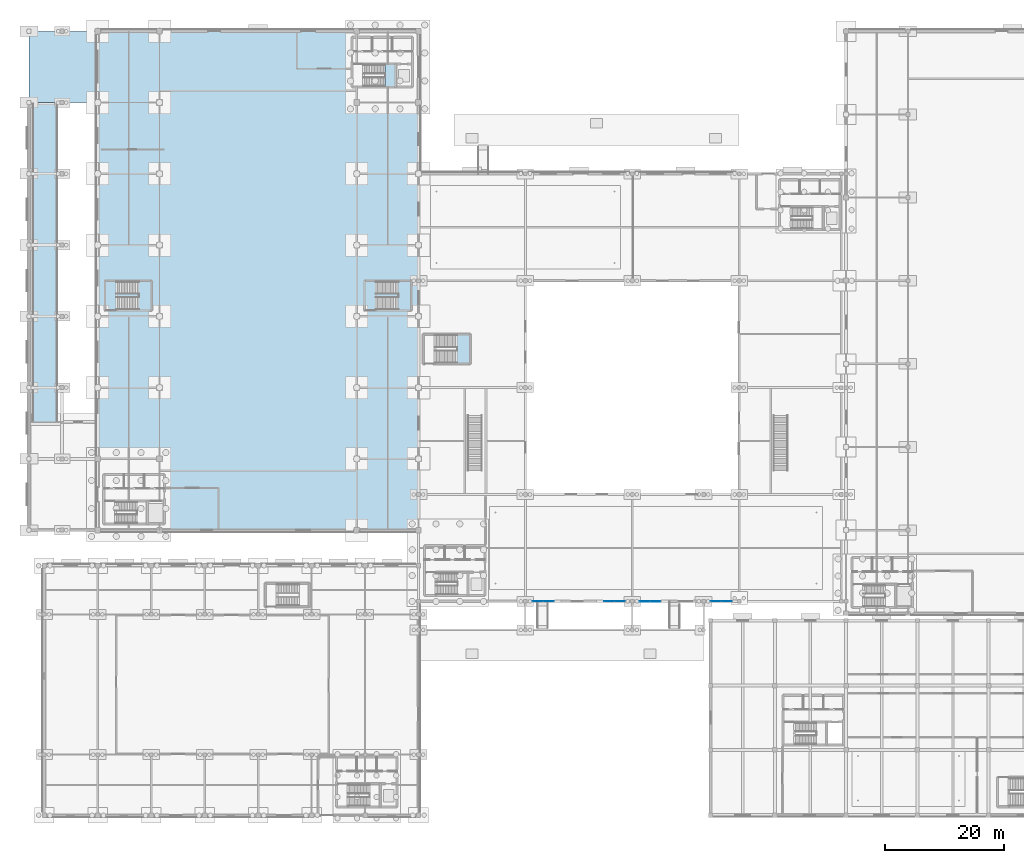
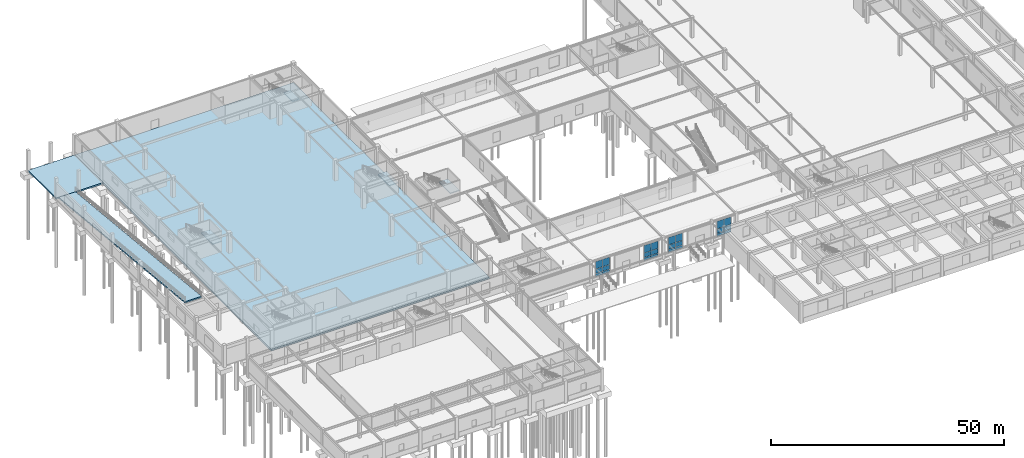
# One storey, part 21 of 53: 24 plates, 7 slabs, 8 elements without a shape of their own.
"""IFC4 building model written with IfcOpenShell, lengths in metres."""

from ifc_helpers import new_model, si_unit, derived_unit, direction, frame, origin, origin_2d, place, context, subcontext, project, spatial, polyline, rectangle, outline, extrude, material, layer, layer_set, type_object, element, aggregate, save


model = new_model("IFC4")

# Units and contexts
model_context = context("Model", 3, precision=1e-05, world=origin(), true_north=direction((0.0, 1.0)))
body_context = subcontext(model_context, "Body", "Model", "MODEL_VIEW")
ifc_project = project(units=[si_unit("LENGTHUNIT", "METRE"), si_unit("AREAUNIT", "SQUARE_METRE"), si_unit("VOLUMEUNIT", "CUBIC_METRE"), si_unit("PLANEANGLEUNIT", "RADIAN"), si_unit("MASSUNIT", "GRAM", prefix="KILO"), derived_unit("THERMALTRANSMITTANCEUNIT", [(si_unit("POWERUNIT", "WATT"), 1), (si_unit("LENGTHUNIT", "METRE"), -2), (si_unit("THERMODYNAMICTEMPERATUREUNIT", "KELVIN"), -1)])], contexts=[model_context])

# Site, building, storey
site_placement = place(None, origin())
site = spatial("IfcSite", under=ifc_project, at=site_placement, CompositionType="ELEMENT")
building_placement = place(site_placement, origin())
building = spatial("IfcBuilding", under=site, at=building_placement, Name="Almenara Railside Exhibition Hall", CompositionType="ELEMENT")
storey_placement = place(building_placement, origin())
storey = spatial("IfcBuildingStorey", under=building, at=storey_placement, Name="L00", CompositionType="ELEMENT", Elevation=0.0)

# Curtain wall, plates
ifc_material_1 = material(Name="Bronze-anodised aluminium and low-E double glazing", Category="aluminium")
ifc_layer_1 = layer(ifc_material_1, 0.179931640625, Name="Bronze-anodised aluminium and low-E double glazing")
ifc_layer_set_1 = layer_set([ifc_layer_1], Name="Bronze-anodised aluminium and low-E double glazing")
curtain_wall_type = type_object("IfcCurtainWallType", Name="Concourse South Portale Curtain Wall 3600x4100", PredefinedType="NOTDEFINED", material=ifc_layer_set_1)
curtain_wall_1_placement = place(storey_placement, origin())
curtain_wall_1 = element("IfcCurtainWall", 1, at=curtain_wall_1_placement, inside=storey, type_object=curtain_wall_type, Name="Curtain wall CW-PC1-125", PredefinedType="NOTDEFINED")
ifc_material_2 = material(Name="Solar-control acoustic laminated glazing", Category="glass")
ifc_layer_2 = layer(ifc_material_2, 0.031982421875, Name="Solar-control acoustic laminated glazing")
ifc_layer_set_2 = layer_set([ifc_layer_2], Name="Solar-control acoustic laminated glazing")
plate_type_1 = type_object("IfcPlateType", Name="Acoustic Low-E Double Glazing Panel 32mm", PredefinedType="CURTAIN_PANEL", material=ifc_layer_set_2)
plate_1_placement = place(storey_placement, frame((86.114990234375, 36.0, 0.69384765625), z_axis=(0.0, 0.0, 1.0), x_axis=(1.0, 0.0, 0.0)))
plate_1 = element("IfcPlate", 2, at=plate_1_placement, type_object=plate_type_1, Name="CW-PC1-125 panel 1.1", PredefinedType="CURTAIN_PANEL", context=body_context, shape_type="SweptSolid", body=[
    extrude(rectangle(XDim=1.72607421875, YDim=0.031982421875, at=origin_2d()), origin(), (0.0, 0.0, 1.0), 0.717041015625),
])
plate_2_placement = place(storey_placement, frame((86.114990234375, 36.0, 1.489013671875), z_axis=(0.0, 0.0, 1.0), x_axis=(1.0, 0.0, 0.0)))
plate_2 = element("IfcPlate", 3, at=plate_2_placement, type_object=plate_type_1, Name="CW-PC1-125 panel 1.2", PredefinedType="CURTAIN_PANEL", context=body_context, shape_type="SweptSolid", body=[
    extrude(rectangle(XDim=1.72607421875, YDim=0.031982421875, at=origin_2d()), origin(), (0.0, 0.0, 1.0), 1.1220703125),
])
plate_3_placement = place(storey_placement, frame((86.114990234375, 36.0, 2.68896484375), z_axis=(0.0, 0.0, 1.0), x_axis=(1.0, 0.0, 0.0)))
plate_3 = element("IfcPlate", 4, at=plate_3_placement, type_object=plate_type_1, Name="CW-PC1-125 panel 1.3", PredefinedType="CURTAIN_PANEL", context=body_context, shape_type="SweptSolid", body=[
    extrude(rectangle(XDim=1.72607421875, YDim=0.031982421875, at=origin_2d()), origin(), (0.0, 0.0, 1.0), 1.9169921875),
])
plate_4_placement = place(storey_placement, frame((87.885009765625, 36.0, 0.69384765625), z_axis=(0.0, 0.0, 1.0), x_axis=(1.0, 0.0, 0.0)))
plate_4 = element("IfcPlate", 5, at=plate_4_placement, type_object=plate_type_1, Name="CW-PC1-125 panel 2.1", PredefinedType="CURTAIN_PANEL", context=body_context, shape_type="SweptSolid", body=[
    extrude(rectangle(XDim=1.72607421875, YDim=0.031982421875, at=origin_2d()), origin(), (0.0, 0.0, 1.0), 0.717041015625),
])
plate_5_placement = place(storey_placement, frame((87.885009765625, 36.0, 1.489013671875), z_axis=(0.0, 0.0, 1.0), x_axis=(1.0, 0.0, 0.0)))
plate_5 = element("IfcPlate", 6, at=plate_5_placement, type_object=plate_type_1, Name="CW-PC1-125 panel 2.2", PredefinedType="CURTAIN_PANEL", context=body_context, shape_type="SweptSolid", body=[
    extrude(rectangle(XDim=1.72607421875, YDim=0.031982421875, at=origin_2d()), origin(), (0.0, 0.0, 1.0), 1.1220703125),
])
plate_6_placement = place(storey_placement, frame((87.885009765625, 36.0, 2.68896484375), z_axis=(0.0, 0.0, 1.0), x_axis=(1.0, 0.0, 0.0)))
plate_6 = element("IfcPlate", 7, at=plate_6_placement, type_object=plate_type_1, Name="CW-PC1-125 panel 2.3", PredefinedType="CURTAIN_PANEL", context=body_context, shape_type="SweptSolid", body=[
    extrude(rectangle(XDim=1.72607421875, YDim=0.031982421875, at=origin_2d()), origin(), (0.0, 0.0, 1.0), 1.9169921875),
])
aggregate(curtain_wall_1, [plate_1, plate_2, plate_3, plate_4, plate_5, plate_6])

# Slabs
ifc_material_3 = material(Name="Concrete C40/50", Category="concrete")
ifc_layer_3 = layer(ifc_material_3, 0.429931640625, Name="Concrete C40/50")
ifc_layer_set_3 = layer_set([ifc_layer_3], Name="Concrete C40/50")
slab_type_1 = type_object("IfcSlabType", Name="Heavy Ground Exhibition Slab 430mm C40/50", PredefinedType="BASESLAB", material=ifc_layer_set_3)
slab_1_placement = place(storey_placement, frame((0.0, 0.0, -0.429931640625)))
element("IfcSlab", 8, at=slab_1_placement, inside=storey, type_object=slab_type_1, Name="West Exhibition Hall 1 ground slab 002", PredefinedType="BASESLAB", context=body_context, shape_type="SweptSolid", body=[
    extrude(outline(polyline([(12.0, 48.0), (66.0, 48.0), (66.0, 132.0), (12.0, 132.0), (12.0, 48.0)])), origin(), (0.0, 0.0, 1.0), 0.429931640625),
])
ifc_layer_4 = layer(ifc_material_3, 0.35009765625, Name="Concrete C40/50")
ifc_layer_set_4 = layer_set([ifc_layer_4], Name="Concrete C40/50")
slab_type_2 = type_object("IfcSlabType", Name="Heavy Truck Lower Vehicle Ramp Slab 350mm C40/50", PredefinedType="USERDEFINED", material=ifc_layer_set_4)
slab_2_placement = place(storey_placement, frame((5.199951171875, 119.998046875, 0.0), z_axis=(0.0, 0.099563887228, 0.995031171552), x_axis=(-1.0, 0.0, 0.0)))
element("IfcSlab", 9, at=slab_2_placement, inside=storey, type_object=slab_type_2, Name="Heavy Truck Vehicle Ramp Slab TR-01", ObjectType="APPROACH_SLAB", PredefinedType="USERDEFINED", context=body_context, shape_type="SweptSolid", body=[
    extrude(outline(polyline([(0.0, 0.0), (4.199951171875, 0.0), (4.199951171875, 54.23555160483646), (0.0, 54.23555160483646), (0.0, 0.0)])), origin(), (0.0, 0.0, -1.0), 0.35009765625),
])

# Curtain wall, plates
curtain_wall_2_placement = place(storey_placement, origin())
curtain_wall_2 = element("IfcCurtainWall", 10, at=curtain_wall_2_placement, inside=storey, type_object=curtain_wall_type, Name="Curtain wall CW-PC1-133", PredefinedType="NOTDEFINED")
ifc_material_4 = material(Name="Bronze-anodised insulated aluminium spandrel", Category="aluminium")
ifc_layer_5 = layer(ifc_material_4, 0.0400390625, Name="Bronze-anodised insulated aluminium spandrel")
ifc_layer_set_5 = layer_set([ifc_layer_5], Name="Bronze-anodised insulated aluminium spandrel")
plate_type_2 = type_object("IfcPlateType", Name="Insulated Bronze Spandrel Panel 40mm", PredefinedType="CURTAIN_PANEL", material=ifc_layer_set_5)
plate_7_placement = place(storey_placement, frame((104.114990234375, 36.0, 0.69384765625), z_axis=(0.0, 0.0, 1.0), x_axis=(1.0, 0.0, 0.0)))
plate_7 = element("IfcPlate", 11, at=plate_7_placement, type_object=plate_type_2, Name="CW-PC1-133 panel 1.1", PredefinedType="CURTAIN_PANEL", context=body_context, shape_type="SweptSolid", body=[
    extrude(rectangle(XDim=1.72607421875, YDim=0.0400390625, at=origin_2d()), origin(), (0.0, 0.0, 1.0), 0.717041015625),
])
plate_8_placement = place(storey_placement, frame((104.114990234375, 36.0, 1.489013671875), z_axis=(0.0, 0.0, 1.0), x_axis=(1.0, 0.0, 0.0)))
plate_8 = element("IfcPlate", 12, at=plate_8_placement, type_object=plate_type_2, Name="CW-PC1-133 panel 1.2", PredefinedType="CURTAIN_PANEL", context=body_context, shape_type="SweptSolid", body=[
    extrude(rectangle(XDim=1.72607421875, YDim=0.0400390625, at=origin_2d()), origin(), (0.0, 0.0, 1.0), 1.1220703125),
])
plate_9_placement = place(storey_placement, frame((104.114990234375, 36.0, 2.68896484375), z_axis=(0.0, 0.0, 1.0), x_axis=(1.0, 0.0, 0.0)))
plate_9 = element("IfcPlate", 13, at=plate_9_placement, type_object=plate_type_2, Name="CW-PC1-133 panel 1.3", PredefinedType="CURTAIN_PANEL", context=body_context, shape_type="SweptSolid", body=[
    extrude(rectangle(XDim=1.72607421875, YDim=0.0400390625, at=origin_2d()), origin(), (0.0, 0.0, 1.0), 1.9169921875),
])
plate_10_placement = place(storey_placement, frame((105.885009765625, 36.0, 0.69384765625), z_axis=(0.0, 0.0, 1.0), x_axis=(1.0, 0.0, 0.0)))
plate_10 = element("IfcPlate", 14, at=plate_10_placement, type_object=plate_type_2, Name="CW-PC1-133 panel 2.1", PredefinedType="CURTAIN_PANEL", context=body_context, shape_type="SweptSolid", body=[
    extrude(rectangle(XDim=1.72607421875, YDim=0.0400390625, at=origin_2d()), origin(), (0.0, 0.0, 1.0), 0.717041015625),
])
plate_11_placement = place(storey_placement, frame((105.885009765625, 36.0, 1.489013671875), z_axis=(0.0, 0.0, 1.0), x_axis=(1.0, 0.0, 0.0)))
plate_11 = element("IfcPlate", 15, at=plate_11_placement, type_object=plate_type_2, Name="CW-PC1-133 panel 2.2", PredefinedType="CURTAIN_PANEL", context=body_context, shape_type="SweptSolid", body=[
    extrude(rectangle(XDim=1.72607421875, YDim=0.0400390625, at=origin_2d()), origin(), (0.0, 0.0, 1.0), 1.1220703125),
])
plate_12_placement = place(storey_placement, frame((105.885009765625, 36.0, 2.68896484375), z_axis=(0.0, 0.0, 1.0), x_axis=(1.0, 0.0, 0.0)))
plate_12 = element("IfcPlate", 16, at=plate_12_placement, type_object=plate_type_2, Name="CW-PC1-133 panel 2.3", PredefinedType="CURTAIN_PANEL", context=body_context, shape_type="SweptSolid", body=[
    extrude(rectangle(XDim=1.72607421875, YDim=0.0400390625, at=origin_2d()), origin(), (0.0, 0.0, 1.0), 1.9169921875),
])
aggregate(curtain_wall_2, [plate_7, plate_8, plate_9, plate_10, plate_11, plate_12])

curtain_wall_3_placement = place(storey_placement, origin())
curtain_wall_3 = element("IfcCurtainWall", 17, at=curtain_wall_3_placement, inside=storey, type_object=curtain_wall_type, Name="Curtain wall CW-PC1-134", PredefinedType="NOTDEFINED")
ifc_layer_6 = layer(ifc_material_4, 0.034912109375, Name="Bronze-anodised insulated aluminium spandrel")
ifc_layer_set_6 = layer_set([ifc_layer_6], Name="Bronze-anodised insulated aluminium spandrel")
plate_type_3 = type_object("IfcPlateType", Name="Insulated Stucco-Tone Spandrel Panel 35mm", PredefinedType="CURTAIN_PANEL", material=ifc_layer_set_6)
plate_13_placement = place(storey_placement, frame((116.11376953125, 36.0, 0.674072265625), z_axis=(0.0, 0.0, 1.0), x_axis=(1.0, 0.0, 0.0)))
plate_13 = element("IfcPlate", 18, at=plate_13_placement, type_object=plate_type_3, Name="CW-PC1-134 panel 1.1", PredefinedType="CURTAIN_PANEL", context=body_context, shape_type="SweptSolid", body=[
    extrude(rectangle(XDim=1.7333984375, YDim=0.034912109375, at=origin_2d()), origin(), (0.0, 0.0, 1.0), 0.7470703125),
])
plate_14_placement = place(storey_placement, frame((116.11376953125, 36.0, 1.47900390625), z_axis=(0.0, 0.0, 1.0), x_axis=(1.0, 0.0, 0.0)))
plate_14 = element("IfcPlate", 19, at=plate_14_placement, type_object=plate_type_3, Name="CW-PC1-134 panel 1.2", PredefinedType="CURTAIN_PANEL", context=body_context, shape_type="SweptSolid", body=[
    extrude(rectangle(XDim=1.7333984375, YDim=0.034912109375, at=origin_2d()), origin(), (0.0, 0.0, 1.0), 1.14208984375),
])
plate_15_placement = place(storey_placement, frame((116.11376953125, 36.0, 2.67919921875), z_axis=(0.0, 0.0, 1.0), x_axis=(1.0, 0.0, 0.0)))
plate_15 = element("IfcPlate", 20, at=plate_15_placement, type_object=plate_type_3, Name="CW-PC1-134 panel 1.3", PredefinedType="CURTAIN_PANEL", context=body_context, shape_type="SweptSolid", body=[
    extrude(rectangle(XDim=1.7333984375, YDim=0.034912109375, at=origin_2d()), origin(), (0.0, 0.0, 1.0), 1.947021484375),
])
plate_16_placement = place(storey_placement, frame((117.88623046875, 36.0, 0.674072265625), z_axis=(0.0, 0.0, 1.0), x_axis=(1.0, 0.0, 0.0)))
plate_16 = element("IfcPlate", 21, at=plate_16_placement, type_object=plate_type_3, Name="CW-PC1-134 panel 2.1", PredefinedType="CURTAIN_PANEL", context=body_context, shape_type="SweptSolid", body=[
    extrude(rectangle(XDim=1.7333984375, YDim=0.034912109375, at=origin_2d()), origin(), (0.0, 0.0, 1.0), 0.7470703125),
])
plate_17_placement = place(storey_placement, frame((117.88623046875, 36.0, 1.47900390625), z_axis=(0.0, 0.0, 1.0), x_axis=(1.0, 0.0, 0.0)))
plate_17 = element("IfcPlate", 22, at=plate_17_placement, type_object=plate_type_3, Name="CW-PC1-134 panel 2.2", PredefinedType="CURTAIN_PANEL", context=body_context, shape_type="SweptSolid", body=[
    extrude(rectangle(XDim=1.7333984375, YDim=0.034912109375, at=origin_2d()), origin(), (0.0, 0.0, 1.0), 1.14208984375),
])
plate_18_placement = place(storey_placement, frame((117.88623046875, 36.0, 2.67919921875), z_axis=(0.0, 0.0, 1.0), x_axis=(1.0, 0.0, 0.0)))
plate_18 = element("IfcPlate", 23, at=plate_18_placement, type_object=plate_type_3, Name="CW-PC1-134 panel 2.3", PredefinedType="CURTAIN_PANEL", context=body_context, shape_type="SweptSolid", body=[
    extrude(rectangle(XDim=1.7333984375, YDim=0.034912109375, at=origin_2d()), origin(), (0.0, 0.0, 1.0), 1.947021484375),
])
aggregate(curtain_wall_3, [plate_13, plate_14, plate_15, plate_16, plate_17, plate_18])

curtain_wall_4_placement = place(storey_placement, origin())
curtain_wall_4 = element("IfcCurtainWall", 24, at=curtain_wall_4_placement, inside=storey, type_object=curtain_wall_type, Name="Curtain wall CW-PC1-126", PredefinedType="NOTDEFINED")
ifc_material_5 = material(Name="Solar-control low-E laminated double glazing", Category="glass")
ifc_layer_7 = layer(ifc_material_5, 0.028076171875, Name="Solar-control low-E laminated double glazing")
ifc_layer_set_7 = layer_set([ifc_layer_7], Name="Solar-control low-E laminated double glazing")
plate_type_4 = type_object("IfcPlateType", Name="Low-E Solar Control Double Glazing Panel 28mm", PredefinedType="CURTAIN_PANEL", material=ifc_layer_set_7)
plate_19_placement = place(storey_placement, frame((98.11376953125, 36.0, 0.674072265625), z_axis=(0.0, 0.0, 1.0), x_axis=(1.0, 0.0, 0.0)))
plate_19 = element("IfcPlate", 25, at=plate_19_placement, type_object=plate_type_4, Name="CW-PC1-126 panel 1.1", PredefinedType="CURTAIN_PANEL", context=body_context, shape_type="SweptSolid", body=[
    extrude(rectangle(XDim=1.7333984375, YDim=0.028076171875, at=origin_2d()), origin(), (0.0, 0.0, 1.0), 0.7470703125),
])
plate_20_placement = place(storey_placement, frame((98.11376953125, 36.0, 1.47900390625), z_axis=(0.0, 0.0, 1.0), x_axis=(1.0, 0.0, 0.0)))
plate_20 = element("IfcPlate", 26, at=plate_20_placement, type_object=plate_type_4, Name="CW-PC1-126 panel 1.2", PredefinedType="CURTAIN_PANEL", context=body_context, shape_type="SweptSolid", body=[
    extrude(rectangle(XDim=1.7333984375, YDim=0.028076171875, at=origin_2d()), origin(), (0.0, 0.0, 1.0), 1.14208984375),
])
plate_21_placement = place(storey_placement, frame((98.11376953125, 36.0, 2.67919921875), z_axis=(0.0, 0.0, 1.0), x_axis=(1.0, 0.0, 0.0)))
plate_21 = element("IfcPlate", 27, at=plate_21_placement, type_object=plate_type_4, Name="CW-PC1-126 panel 1.3", PredefinedType="CURTAIN_PANEL", context=body_context, shape_type="SweptSolid", body=[
    extrude(rectangle(XDim=1.7333984375, YDim=0.028076171875, at=origin_2d()), origin(), (0.0, 0.0, 1.0), 1.947021484375),
])
plate_22_placement = place(storey_placement, frame((99.88623046875, 36.0, 0.674072265625), z_axis=(0.0, 0.0, 1.0), x_axis=(1.0, 0.0, 0.0)))
plate_22 = element("IfcPlate", 28, at=plate_22_placement, type_object=plate_type_4, Name="CW-PC1-126 panel 2.1", PredefinedType="CURTAIN_PANEL", context=body_context, shape_type="SweptSolid", body=[
    extrude(rectangle(XDim=1.7333984375, YDim=0.028076171875, at=origin_2d()), origin(), (0.0, 0.0, 1.0), 0.7470703125),
])
plate_23_placement = place(storey_placement, frame((99.88623046875, 36.0, 1.47900390625), z_axis=(0.0, 0.0, 1.0), x_axis=(1.0, 0.0, 0.0)))
plate_23 = element("IfcPlate", 29, at=plate_23_placement, type_object=plate_type_4, Name="CW-PC1-126 panel 2.2", PredefinedType="CURTAIN_PANEL", context=body_context, shape_type="SweptSolid", body=[
    extrude(rectangle(XDim=1.7333984375, YDim=0.028076171875, at=origin_2d()), origin(), (0.0, 0.0, 1.0), 1.14208984375),
])
plate_24_placement = place(storey_placement, frame((99.88623046875, 36.0, 2.67919921875), z_axis=(0.0, 0.0, 1.0), x_axis=(1.0, 0.0, 0.0)))
plate_24 = element("IfcPlate", 30, at=plate_24_placement, type_object=plate_type_4, Name="CW-PC1-126 panel 2.3", PredefinedType="CURTAIN_PANEL", context=body_context, shape_type="SweptSolid", body=[
    extrude(rectangle(XDim=1.7333984375, YDim=0.028076171875, at=origin_2d()), origin(), (0.0, 0.0, 1.0), 1.947021484375),
])
aggregate(curtain_wall_4, [plate_19, plate_20, plate_21, plate_22, plate_23, plate_24])

# Stair, slab
ifc_material_6 = material(Name="Concrete C35/45", Category="concrete")
stair_type_1 = type_object("IfcStairType", Name="Core Dog-Leg Escape Stair 1520mm", PredefinedType="TWO_STRAIGHT_RUN_STAIR", material=ifc_material_6)
stair_1_placement = place(storey_placement, origin())
stair_1 = element("IfcStair", 31, at=stair_1_placement, inside=storey, type_object=stair_type_1, Name="Escape stair ST-C2-L00", PredefinedType="TWO_STRAIGHT_RUN_STAIR")
ifc_layer_8 = layer(ifc_material_6, 0.199951171875, Name="Concrete C35/45")
ifc_layer_set_8 = layer_set([ifc_layer_8], Name="Concrete C35/45")
slab_type_3 = type_object("IfcSlabType", Name="Stair Half-Landing Slab 200mm C35/45", PredefinedType="LANDING", material=ifc_layer_set_8)
slab_3_placement = place(storey_placement, frame((0.0, 0.0, 2.5)))
slab_3 = element("IfcSlab", 32, at=slab_3_placement, type_object=slab_type_3, Name="ST-C2-L00 landing 1", PredefinedType="LANDING", context=body_context, shape_type="SweptSolid", body=[
    extrude(outline(polyline([(60.35986328125, 122.64990234375), (62.090087890625, 122.64990234375), (62.090087890625, 126.47998046875), (60.35986328125, 126.47998046875), (60.35986328125, 122.64990234375)])), origin(), (0.0, 0.0, 1.0), 0.199951171875),
])
aggregate(stair_1, [slab_3])

stair_type_2 = type_object("IfcStairType", Name="Hall Escape Dog-Leg Stair 2100mm", PredefinedType="TWO_STRAIGHT_RUN_STAIR", material=ifc_material_6)
stair_2_placement = place(storey_placement, origin())
stair_2 = element("IfcStair", 33, at=stair_2_placement, inside=storey, type_object=stair_type_2, Name="Escape stair HST1-L00", PredefinedType="TWO_STRAIGHT_RUN_STAIR")
slab_4_placement = place(storey_placement, frame((0.0, 0.0, 2.5)))
slab_4 = element("IfcSlab", 34, at=slab_4_placement, type_object=slab_type_3, Name="HST1-L00 landing 1", PredefinedType="LANDING", context=body_context, shape_type="SweptSolid", body=[
    extrude(outline(polyline([(18.889892578125, 85.050048828125), (21.139892578125, 85.050048828125), (21.139892578125, 89.97998046875), (18.889892578125, 89.97998046875), (18.889892578125, 85.050048828125)])), origin(), (0.0, 0.0, 1.0), 0.199951171875),
])
aggregate(stair_2, [slab_4])

stair_3_placement = place(storey_placement, origin())
stair_3 = element("IfcStair", 35, at=stair_3_placement, inside=storey, type_object=stair_type_2, Name="Escape stair HST2-L00", PredefinedType="TWO_STRAIGHT_RUN_STAIR")
slab_5_placement = place(storey_placement, frame((0.0, 0.0, 2.5)))
slab_5 = element("IfcSlab", 36, at=slab_5_placement, type_object=slab_type_3, Name="HST2-L00 landing 1", PredefinedType="LANDING", context=body_context, shape_type="SweptSolid", body=[
    extrude(outline(polyline([(62.590087890625, 85.050048828125), (64.840087890625, 85.050048828125), (64.840087890625, 89.97998046875), (62.590087890625, 89.97998046875), (62.590087890625, 85.050048828125)])), origin(), (0.0, 0.0, 1.0), 0.199951171875),
])
aggregate(stair_3, [slab_5])

stair_4_placement = place(storey_placement, origin())
stair_4 = element("IfcStair", 37, at=stair_4_placement, inside=storey, type_object=stair_type_2, Name="Escape stair HST3-L00", PredefinedType="TWO_STRAIGHT_RUN_STAIR")
slab_6_placement = place(storey_placement, frame((0.0, 0.0, 2.5)))
slab_6 = element("IfcSlab", 38, at=slab_6_placement, type_object=slab_type_3, Name="HST3-L00 landing 1", PredefinedType="LANDING", context=body_context, shape_type="SweptSolid", body=[
    extrude(outline(polyline([(72.489990234375, 76.050048828125), (74.739990234375, 76.050048828125), (74.739990234375, 80.97998046875), (72.489990234375, 80.97998046875), (72.489990234375, 76.050048828125)])), origin(), (0.0, 0.0, 1.0), 0.199951171875),
])
aggregate(stair_4, [slab_6])

# Slab
ifc_layer_9 = layer(ifc_material_3, 0.3798828125, Name="Concrete C40/50")
ifc_layer_set_9 = layer_set([ifc_layer_9], Name="Concrete C40/50")
slab_type_4 = type_object("IfcSlabType", Name="Truck Apron Heavy Deck Slab 380mm C40/50", PredefinedType="FLOOR", material=ifc_layer_set_9)
slab_7_placement = place(storey_placement, frame((0.0, 0.0, -0.3798828125)))
element("IfcSlab", 39, at=slab_7_placement, inside=storey, type_object=slab_type_4, Name="North truck marshalling apron 009", PredefinedType="FLOOR", context=body_context, shape_type="SweptSolid", body=[
    extrude(outline(polyline([(0.39990234375, 120.0), (12.0, 120.0), (12.0, 132.0), (0.39990234375, 132.0), (0.39990234375, 120.0)])), origin(), (0.0, 0.0, 1.0), 0.3798828125),
])

save(model, "model.ifc")
